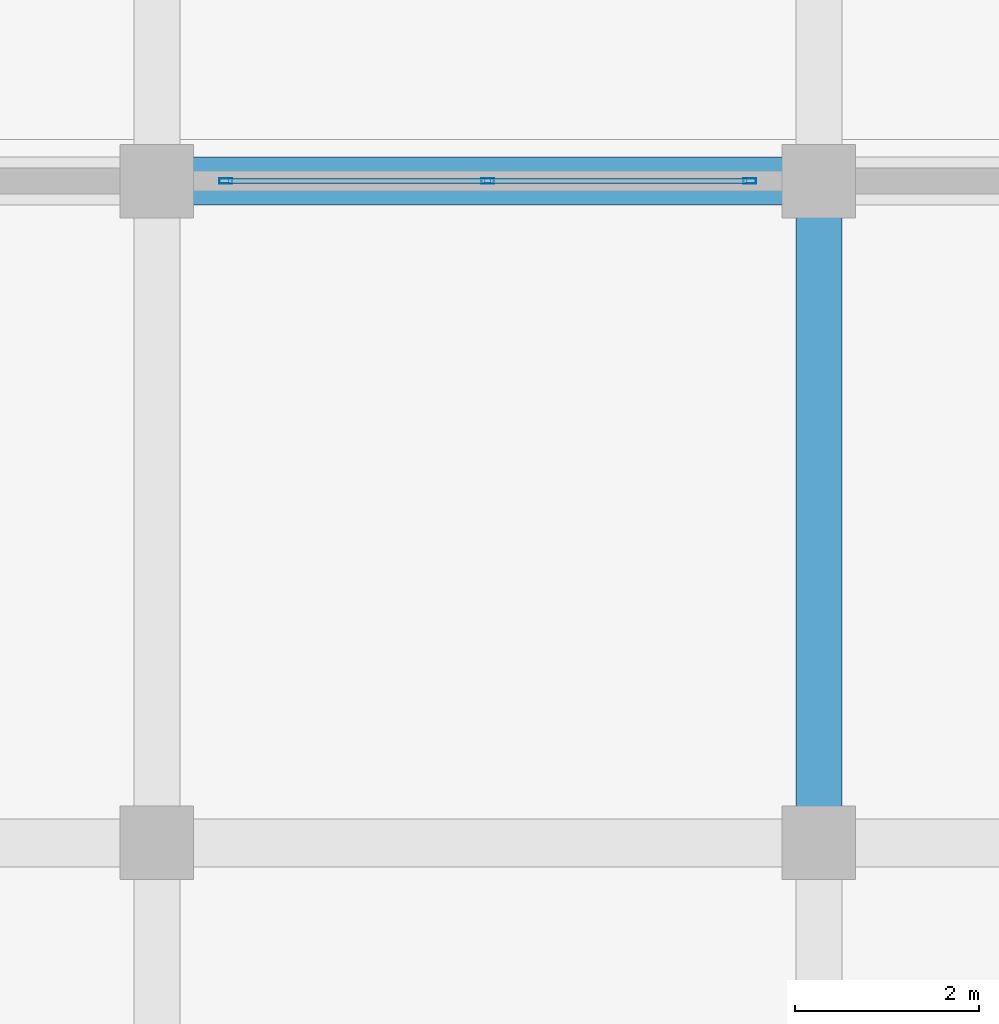
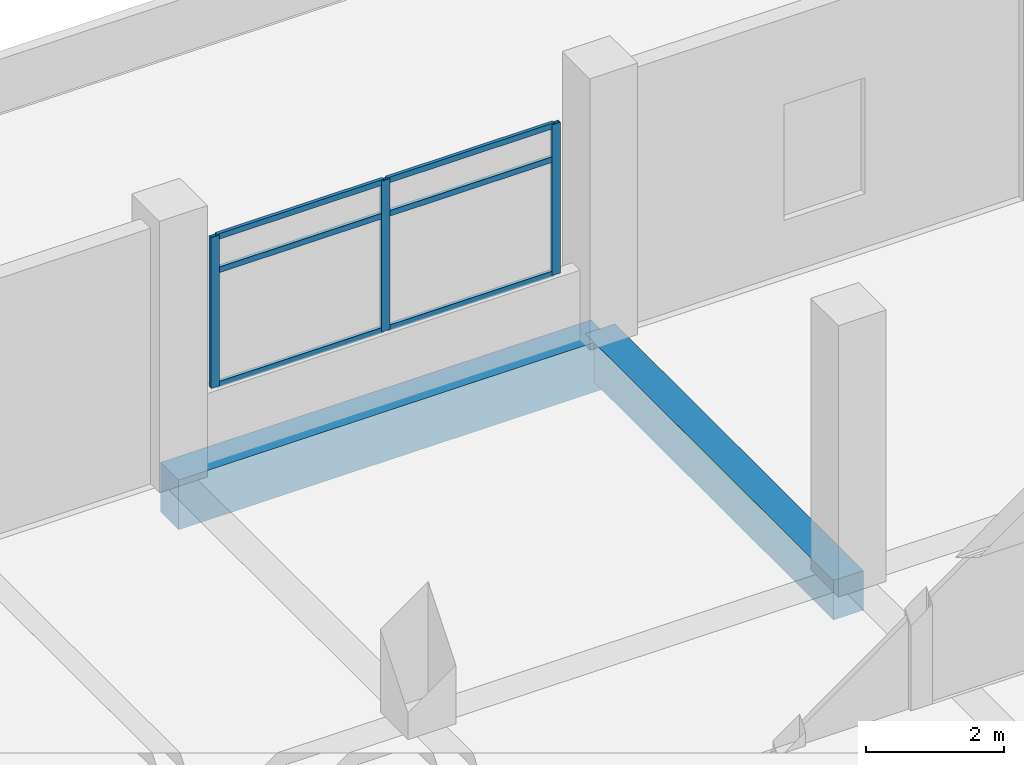
# One storey, part 42 of 140: 9 members, 2 beams, 1 element without a shape of its own.
"""IFC4 building model written with IfcOpenShell, lengths in metres."""

from ifc_helpers import new_model, si_unit, direction, frame, origin, origin_2d, place, context, subcontext, project, spatial, rectangle, hollow_rectangle, extrude, material, layer, layer_set, material_profile, profile_set, type_object, element, aggregate, save


model = new_model("IFC4")

# Units and contexts
model_context = context("Model", 3, precision=1e-05, world=origin(), true_north=direction((0.0, 1.0)))
body_context = subcontext(model_context, "Body", "Model", "MODEL_VIEW")
ifc_project = project(units=[si_unit("LENGTHUNIT", "METRE"), si_unit("AREAUNIT", "SQUARE_METRE"), si_unit("VOLUMEUNIT", "CUBIC_METRE"), si_unit("PLANEANGLEUNIT", "RADIAN"), si_unit("MASSUNIT", "GRAM", prefix="KILO")], contexts=[model_context])

# Site, building, storey
site_placement = place(None, origin())
site = spatial("IfcSite", under=ifc_project, at=site_placement, CompositionType="ELEMENT")
building_placement = place(site_placement, origin())
building = spatial("IfcBuilding", under=site, at=building_placement, Name="Seraya Terrace Polytechnic", CompositionType="ELEMENT")
storey_placement = place(building_placement, frame((0.0, 0.0, 9.60009765625)))
storey = spatial("IfcBuildingStorey", under=building, at=storey_placement, Name="L02", CompositionType="ELEMENT", Elevation=9.60009765625)

# Beams
ifc_material_1 = material(Name="Concrete C40/50", Category="concrete")
ifc_material_profile_1 = material_profile(ifc_material_1, rectangle(XDim=0.52001953125, YDim=0.8798828125, at=origin_2d()), Name="RC 520x880")
ifc_profile_set_1 = profile_set([ifc_material_profile_1], Name="Concrete C40/50")
beam_type_1 = type_object("IfcBeamType", Name="BM-04", PredefinedType="BEAM", material=ifc_profile_set_1)
beam_1_placement = place(storey_placement, frame((115.199951171875, 28.800048828125, -0.440185546875), z_axis=(1.0, 0.0, 0.0), x_axis=(0.0, 1.0, 0.0)))
element("IfcBeam", 1, at=beam_1_placement, inside=storey, type_object=beam_type_1, Name="Beam BM-04 L02 X (115.2..122.4, 28.8)", PredefinedType="BEAM", context=body_context, shape_type="SweptSolid", body=[
    extrude(rectangle(XDim=0.52001953125, YDim=0.8798828125, at=origin_2d()), origin(), (0.0, 0.0, 1.0), 7.199951171875),
])
ifc_material_profile_2 = material_profile(ifc_material_1, rectangle(XDim=0.5, YDim=0.699951171875, at=origin_2d()), Name="RC 500x700")
ifc_profile_set_2 = profile_set([ifc_material_profile_2], Name="Concrete C40/50")
beam_type_2 = type_object("IfcBeamType", Name="BM-07", PredefinedType="BEAM", material=ifc_profile_set_2)
beam_2_placement = place(storey_placement, frame((122.39990234375, 21.60009765625, -0.35009765625), z_axis=(0.0, 1.0, 0.0), x_axis=(-1.0, 0.0, 0.0)))
element("IfcBeam", 2, at=beam_2_placement, inside=storey, type_object=beam_type_2, Name="Beam BM-07 L02 Y (122.4, 21.6..28.8)", PredefinedType="BEAM", context=body_context, shape_type="SweptSolid", body=[
    extrude(rectangle(XDim=0.5, YDim=0.699951171875, at=origin_2d()), origin(), (0.0, 0.0, 1.0), 7.199951171875),
])

# Curtain wall, members
ifc_material_2 = material(Name="Anodised aluminium EN AW-6063 T6", Category="aluminium")
ifc_layer = layer(ifc_material_2, 0.179931640625, Name="CW-27")
ifc_layer_set = layer_set([ifc_layer], Name="Anodised aluminium EN AW-6063 T6")
curtain_wall_type = type_object("IfcCurtainWallType", Name="CW-27", PredefinedType="NOTDEFINED", material=ifc_layer_set)
curtain_wall_placement = place(storey_placement, origin())
curtain_wall = element("IfcCurtainWall", 3, at=curtain_wall_placement, inside=storey, type_object=curtain_wall_type, Name="Unitised curtain wall CW-27 (CW-L02-063)", PredefinedType="NOTDEFINED")
ifc_material_profile_3 = material_profile(ifc_material_2, hollow_rectangle(XDim=0.06005859375, YDim=0.139892578125, WallThickness=0.00341796875, at=origin_2d()), Name="RHS 140x60x3.5")
ifc_profile_set_3 = profile_set([ifc_material_profile_3], Name="Anodised aluminium EN AW-6063 T6")
member_type_1 = type_object("IfcMemberType", Name="CWM-03", PredefinedType="MULLION", material=ifc_profile_set_3)
member_1_placement = place(storey_placement, frame((115.949951171875, 28.800048828125, 1.239990234375), z_axis=(0.0, 0.0, 1.0), x_axis=(0.0, 1.0, 0.0)))
member_1 = element("IfcMember", 4, at=member_1_placement, type_object=member_type_1, Name="CW-27 mullion 1", PredefinedType="MULLION", context=body_context, shape_type="SweptSolid", body=[
    extrude(hollow_rectangle(XDim=0.06005859375, YDim=0.139892578125, WallThickness=0.00341796875, at=origin_2d()), origin(), (0.0, 0.0, 1.0), 2.669921875),
])
member_2_placement = place(storey_placement, frame((118.800048828125, 28.800048828125, 1.239990234375), z_axis=(0.0, 0.0, 1.0), x_axis=(0.0, 1.0, 0.0)))
member_2 = element("IfcMember", 5, at=member_2_placement, type_object=member_type_1, Name="CW-27 mullion 2", PredefinedType="MULLION", context=body_context, shape_type="SweptSolid", body=[
    extrude(hollow_rectangle(XDim=0.06005859375, YDim=0.139892578125, WallThickness=0.00341796875, at=origin_2d()), origin(), (0.0, 0.0, 1.0), 2.669921875),
])
member_3_placement = place(storey_placement, frame((121.64990234375, 28.800048828125, 1.239990234375), z_axis=(0.0, 0.0, 1.0), x_axis=(0.0, 1.0, 0.0)))
member_3 = element("IfcMember", 6, at=member_3_placement, type_object=member_type_1, Name="CW-27 mullion 3", PredefinedType="MULLION", context=body_context, shape_type="SweptSolid", body=[
    extrude(hollow_rectangle(XDim=0.06005859375, YDim=0.139892578125, WallThickness=0.00341796875, at=origin_2d()), origin(), (0.0, 0.0, 1.0), 2.669921875),
])
ifc_material_profile_4 = material_profile(ifc_material_2, hollow_rectangle(XDim=0.054931640625, YDim=0.10009765625, WallThickness=0.0029296875, at=origin_2d()), Name="RHS 100x55x3.0")
ifc_profile_set_4 = profile_set([ifc_material_profile_4], Name="Anodised aluminium EN AW-6063 T6")
member_type_2 = type_object("IfcMemberType", Name="CWT-03", PredefinedType="USERDEFINED", material=ifc_profile_set_4)
member_4_placement = place(storey_placement, frame((115.97998046875, 28.800048828125, 1.267333984375), z_axis=(1.0, 0.0, 0.0), x_axis=(0.0, 1.0, 0.0)))
member_4 = element("IfcMember", 7, at=member_4_placement, type_object=member_type_2, Name="CW-27 transom 1.1", ObjectType="TRANSOM", PredefinedType="USERDEFINED", context=body_context, shape_type="SweptSolid", body=[
    extrude(hollow_rectangle(XDim=0.054931640625, YDim=0.10009765625, WallThickness=0.0029296875, at=origin_2d()), origin(), (0.0, 0.0, 1.0), 2.7900390625),
])
member_5_placement = place(storey_placement, frame((115.97998046875, 28.800048828125, 3.289794921875), z_axis=(1.0, 0.0, 0.0), x_axis=(0.0, 1.0, 0.0)))
member_5 = element("IfcMember", 8, at=member_5_placement, type_object=member_type_2, Name="CW-27 transom 1.2", ObjectType="TRANSOM", PredefinedType="USERDEFINED", context=body_context, shape_type="SweptSolid", body=[
    extrude(hollow_rectangle(XDim=0.054931640625, YDim=0.10009765625, WallThickness=0.0029296875, at=origin_2d()), origin(), (0.0, 0.0, 1.0), 2.7900390625),
])
member_6_placement = place(storey_placement, frame((115.97998046875, 28.800048828125, 3.88232421875), z_axis=(1.0, 0.0, 0.0), x_axis=(0.0, 1.0, 0.0)))
member_6 = element("IfcMember", 9, at=member_6_placement, type_object=member_type_2, Name="CW-27 transom 1.3", ObjectType="TRANSOM", PredefinedType="USERDEFINED", context=body_context, shape_type="SweptSolid", body=[
    extrude(hollow_rectangle(XDim=0.054931640625, YDim=0.10009765625, WallThickness=0.0029296875, at=origin_2d()), origin(), (0.0, 0.0, 1.0), 2.7900390625),
])
member_7_placement = place(storey_placement, frame((118.830078125, 28.800048828125, 1.267333984375), z_axis=(1.0, 0.0, 0.0), x_axis=(0.0, 1.0, 0.0)))
member_7 = element("IfcMember", 10, at=member_7_placement, type_object=member_type_2, Name="CW-27 transom 2.1", ObjectType="TRANSOM", PredefinedType="USERDEFINED", context=body_context, shape_type="SweptSolid", body=[
    extrude(hollow_rectangle(XDim=0.054931640625, YDim=0.10009765625, WallThickness=0.0029296875, at=origin_2d()), origin(), (0.0, 0.0, 1.0), 2.7900390625),
])
member_8_placement = place(storey_placement, frame((118.830078125, 28.800048828125, 3.289794921875), z_axis=(1.0, 0.0, 0.0), x_axis=(0.0, 1.0, 0.0)))
member_8 = element("IfcMember", 11, at=member_8_placement, type_object=member_type_2, Name="CW-27 transom 2.2", ObjectType="TRANSOM", PredefinedType="USERDEFINED", context=body_context, shape_type="SweptSolid", body=[
    extrude(hollow_rectangle(XDim=0.054931640625, YDim=0.10009765625, WallThickness=0.0029296875, at=origin_2d()), origin(), (0.0, 0.0, 1.0), 2.7900390625),
])
member_9_placement = place(storey_placement, frame((118.830078125, 28.800048828125, 3.88232421875), z_axis=(1.0, 0.0, 0.0), x_axis=(0.0, 1.0, 0.0)))
member_9 = element("IfcMember", 12, at=member_9_placement, type_object=member_type_2, Name="CW-27 transom 2.3", ObjectType="TRANSOM", PredefinedType="USERDEFINED", context=body_context, shape_type="SweptSolid", body=[
    extrude(hollow_rectangle(XDim=0.054931640625, YDim=0.10009765625, WallThickness=0.0029296875, at=origin_2d()), origin(), (0.0, 0.0, 1.0), 2.7900390625),
])
aggregate(curtain_wall, [member_1, member_2, member_3, member_4, member_5, member_6, member_7, member_8, member_9])

save(model, "model.ifc")
